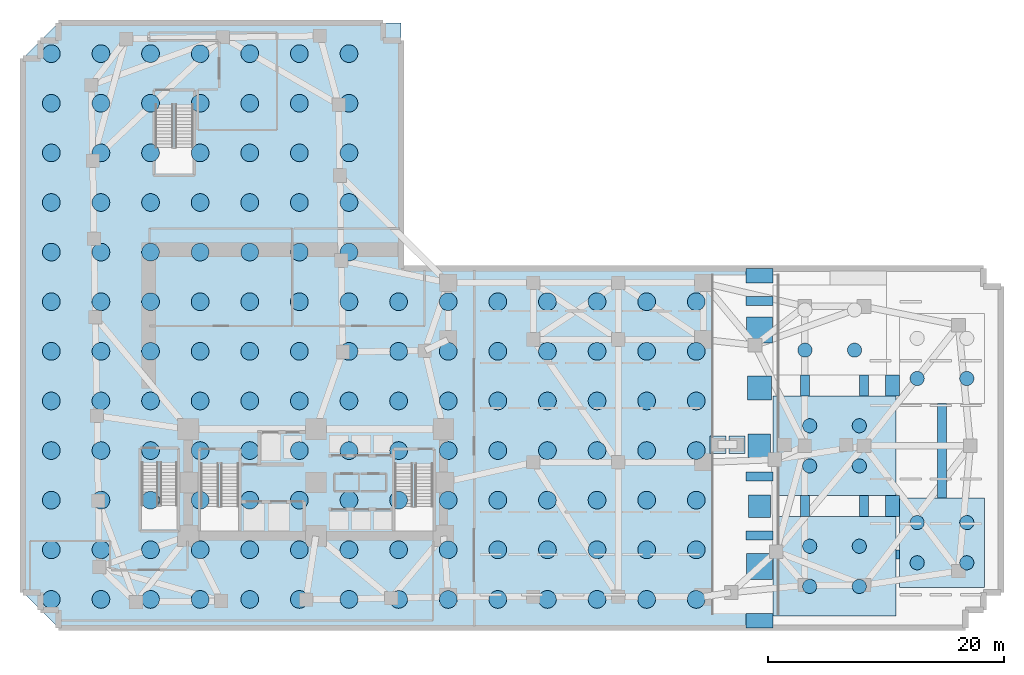
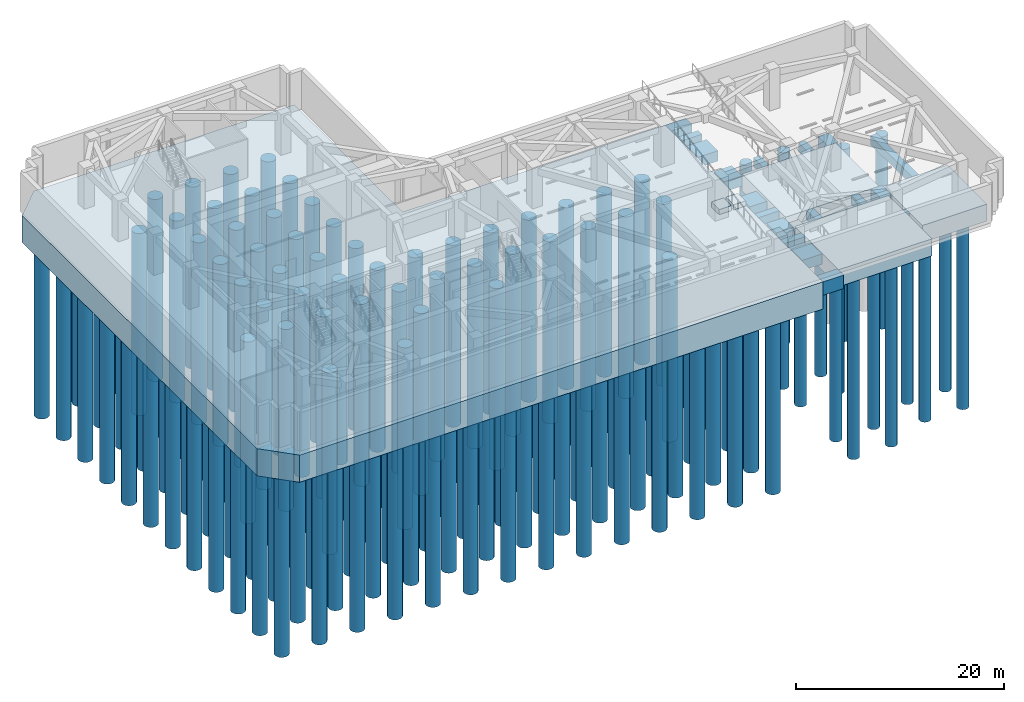
# One storey, part 1 of 11: 149 piles, 24 footings.
"""IFC4 building model written with IfcOpenShell, lengths in metres."""

from ifc_helpers import new_model, si_unit, direction, frame, origin, origin_2d, place, context, subcontext, project, spatial, polyline, rectangle, circle, outline, extrude, material, layer, layer_set, material_profile, profile_set, type_object, element, save


model = new_model("IFC4")

# Units and contexts
model_context = context("Model", 3, precision=1e-05, world=origin(), true_north=direction((0.0, 1.0)))
body_context = subcontext(model_context, "Body", "Model", "MODEL_VIEW")
ifc_project = project(units=[si_unit("LENGTHUNIT", "METRE"), si_unit("AREAUNIT", "SQUARE_METRE"), si_unit("VOLUMEUNIT", "CUBIC_METRE"), si_unit("PLANEANGLEUNIT", "RADIAN"), si_unit("MASSUNIT", "GRAM", prefix="KILO")], contexts=[model_context])

# Site, building, storey
site_placement = place(None, origin())
site = spatial("IfcSite", under=ifc_project, at=site_placement, CompositionType="ELEMENT")
building_placement = place(site_placement, origin())
building = spatial("IfcBuilding", under=site, at=building_placement, Name="Gaonmaruhae Medical Tower", CompositionType="ELEMENT")
storey_placement = place(building_placement, frame((0.0, 0.0, -9.60009765625)))
storey = spatial("IfcBuildingStorey", under=building, at=storey_placement, Name="B02", CompositionType="ELEMENT", Elevation=-9.60009765625)

# Piles
ifc_material_1 = material(Name="Concrete C50/60", Category="concrete")
ifc_material_profile_1 = material_profile(ifc_material_1, circle(Radius=0.60009765625, at=origin_2d()), Name="PILE-D1200")
ifc_profile_set_1 = profile_set([ifc_material_profile_1], Name="Concrete C50/60")
pile_type_1 = type_object("IfcPileType", Name="BP-1200 Rock-Socketed Bored Pile", PredefinedType="BORED", material=ifc_profile_set_1)
for number, where, z_axis, x_axis, name in (
    (1, (66.60009765625, 3.5, -2.5), (0.0, 0.0, -1.0), (1.0, 0.0, 0.0), "Podium Cap Bored Pile PILE-P01"),
    (2, (66.60009765625, 6.89990234375, -2.5), (0.0, 0.0, -1.0), (1.0, 0.0, 0.0), "Podium Cap Bored Pile PILE-P02"),
    (3, (70.800048828125, 3.5, -2.5), (0.0, 0.0, -1.0), (1.0, 0.0, 0.0), "Podium Cap Bored Pile PILE-P03"),
    (4, (70.800048828125, 6.89990234375, -2.5), (0.0, 0.0, -1.0), (1.0, 0.0, 0.0), "Podium Cap Bored Pile PILE-P04"),
    (5, (66.60009765625, 13.699951171875, -2.5), (0.0, 0.0, -1.0), (1.0, 0.0, 0.0), "Podium Cap Bored Pile PILE-P05"),
    (6, (66.60009765625, 17.10009765625, -2.5), (0.0, 0.0, -1.0), (1.0, 0.0, 0.0), "Podium Cap Bored Pile PILE-P06"),
    (7, (70.800048828125, 13.699951171875, -2.5), (0.0, 0.0, -1.0), (1.0, 0.0, 0.0), "Podium Cap Bored Pile PILE-P07"),
    (8, (70.800048828125, 17.10009765625, -2.5), (0.0, 0.0, -1.0), (1.0, 0.0, 0.0), "Podium Cap Bored Pile PILE-P08"),
    (9, (66.199951171875, 23.5, -2.5), (0.0, 0.0, -1.0), (1.0, 0.0, 0.0), "Podium Cap Bored Pile PILE-P09"),
    (10, (70.39990234375, 23.5, -2.5), (0.0, 0.0, -1.0), (1.0, 0.0, 0.0), "Podium Cap Bored Pile PILE-P11"),
    (11, (75.699951171875, 5.5, -2.5), (0.0, 0.0, -1.0), (1.0, 0.0, 0.0), "Podium Cap Bored Pile PILE-P13"),
    (12, (75.699951171875, 8.89990234375, -2.5), (0.0, 0.0, -1.0), (1.0, 0.0, 0.0), "Podium Cap Bored Pile PILE-P14"),
    (13, (79.89990234375, 5.5, -2.5), (0.0, 0.0, -1.0), (1.0, 0.0, 0.0), "Podium Cap Bored Pile PILE-P15"),
    (14, (79.89990234375, 8.89990234375, -2.5), (0.0, 0.0, -1.0), (1.0, 0.0, 0.0), "Podium Cap Bored Pile PILE-P16"),
    (15, (75.699951171875, 21.10009765625, -2.5), (0.0, 0.0, -1.0), (1.0, 0.0, 0.0), "Podium Cap Bored Pile PILE-P17"),
    (16, (79.89990234375, 21.10009765625, -2.5), (0.0, 0.0, -1.0), (1.0, 0.0, 0.0), "Podium Cap Bored Pile PILE-P19"),
):
    element("IfcPile", number, at=place(storey_placement, frame(where, z_axis=z_axis, x_axis=x_axis)), inside=storey, type_object=pile_type_1, Name=name, PredefinedType="BORED", context=body_context, shape_type="SweptSolid", body=[
        extrude(circle(Radius=0.60009765625, at=origin_2d()), origin(), (0.0, 0.0, 1.0), 22.60009765625),
    ])
ifc_material_profile_2 = material_profile(ifc_material_1, circle(Radius=0.75, at=origin_2d()), Name="PILE-D1500")
ifc_profile_set_2 = profile_set([ifc_material_profile_2], Name="Concrete C50/60")
pile_type_2 = type_object("IfcPileType", Name="BP-1500 Rock-Socketed Bored Pile", PredefinedType="BORED", material=ifc_profile_set_2)
for number, where, z_axis, x_axis, name in (
    (17, (2.39990234375, 2.39990234375, -3.699951171875), (0.0, 0.0, -1.0), (1.0, 0.0, 0.0), "Tower Mat Bored Pile PILE-M001"),
    (18, (2.39990234375, 6.60009765625, -3.699951171875), (0.0, 0.0, -1.0), (1.0, 0.0, 0.0), "Tower Mat Bored Pile PILE-M002"),
    (19, (2.39990234375, 10.800048828125, -3.699951171875), (0.0, 0.0, -1.0), (1.0, 0.0, 0.0), "Tower Mat Bored Pile PILE-M003"),
    (20, (2.39990234375, 15.0, -3.699951171875), (0.0, 0.0, -1.0), (1.0, 0.0, 0.0), "Tower Mat Bored Pile PILE-M004"),
    (21, (2.39990234375, 19.199951171875, -3.699951171875), (0.0, 0.0, -1.0), (1.0, 0.0, 0.0), "Tower Mat Bored Pile PILE-M005"),
    (22, (2.39990234375, 23.39990234375, -3.699951171875), (0.0, 0.0, -1.0), (1.0, 0.0, 0.0), "Tower Mat Bored Pile PILE-M006"),
    (23, (2.39990234375, 27.60009765625, -3.699951171875), (0.0, 0.0, -1.0), (1.0, 0.0, 0.0), "Tower Mat Bored Pile PILE-M007"),
    (24, (2.39990234375, 31.800048828125, -3.699951171875), (0.0, 0.0, -1.0), (1.0, 0.0, 0.0), "Tower Mat Bored Pile PILE-M008"),
    (25, (2.39990234375, 36.0, -3.699951171875), (0.0, 0.0, -1.0), (1.0, 0.0, 0.0), "Tower Mat Bored Pile PILE-M009"),
    (26, (2.39990234375, 40.199951171875, -3.699951171875), (0.0, 0.0, -1.0), (1.0, 0.0, 0.0), "Tower Mat Bored Pile PILE-M010"),
    (27, (2.39990234375, 44.39990234375, -3.699951171875), (0.0, 0.0, -1.0), (1.0, 0.0, 0.0), "Tower Mat Bored Pile PILE-M011"),
    (28, (2.39990234375, 48.60009765625, -3.699951171875), (0.0, 0.0, -1.0), (1.0, 0.0, 0.0), "Tower Mat Bored Pile PILE-M012"),
    (29, (6.60009765625, 2.39990234375, -3.699951171875), (0.0, 0.0, -1.0), (1.0, 0.0, 0.0), "Tower Mat Bored Pile PILE-M013"),
    (30, (6.60009765625, 6.60009765625, -3.699951171875), (0.0, 0.0, -1.0), (1.0, 0.0, 0.0), "Tower Mat Bored Pile PILE-M014"),
    (31, (6.60009765625, 10.800048828125, -3.699951171875), (0.0, 0.0, -1.0), (1.0, 0.0, 0.0), "Tower Mat Bored Pile PILE-M015"),
    (32, (6.60009765625, 15.0, -3.699951171875), (0.0, 0.0, -1.0), (1.0, 0.0, 0.0), "Tower Mat Bored Pile PILE-M016"),
    (33, (6.60009765625, 19.199951171875, -3.699951171875), (0.0, 0.0, -1.0), (1.0, 0.0, 0.0), "Tower Mat Bored Pile PILE-M017"),
    (34, (6.60009765625, 23.39990234375, -3.699951171875), (0.0, 0.0, -1.0), (1.0, 0.0, 0.0), "Tower Mat Bored Pile PILE-M018"),
    (35, (6.60009765625, 27.60009765625, -3.699951171875), (0.0, 0.0, -1.0), (1.0, 0.0, 0.0), "Tower Mat Bored Pile PILE-M019"),
    (36, (6.60009765625, 31.800048828125, -3.699951171875), (0.0, 0.0, -1.0), (1.0, 0.0, 0.0), "Tower Mat Bored Pile PILE-M020"),
    (37, (6.60009765625, 36.0, -3.699951171875), (0.0, 0.0, -1.0), (1.0, 0.0, 0.0), "Tower Mat Bored Pile PILE-M021"),
    (38, (6.60009765625, 40.199951171875, -3.699951171875), (0.0, 0.0, -1.0), (1.0, 0.0, 0.0), "Tower Mat Bored Pile PILE-M022"),
    (39, (6.60009765625, 44.39990234375, -3.699951171875), (0.0, 0.0, -1.0), (1.0, 0.0, 0.0), "Tower Mat Bored Pile PILE-M023"),
    (40, (6.60009765625, 48.60009765625, -3.699951171875), (0.0, 0.0, -1.0), (1.0, 0.0, 0.0), "Tower Mat Bored Pile PILE-M024"),
    (41, (10.800048828125, 2.39990234375, -3.699951171875), (0.0, 0.0, -1.0), (1.0, 0.0, 0.0), "Tower Mat Bored Pile PILE-M025"),
    (42, (10.800048828125, 6.60009765625, -3.699951171875), (0.0, 0.0, -1.0), (1.0, 0.0, 0.0), "Tower Mat Bored Pile PILE-M026"),
    (43, (10.800048828125, 10.800048828125, -3.699951171875), (0.0, 0.0, -1.0), (1.0, 0.0, 0.0), "Tower Mat Bored Pile PILE-M027"),
    (44, (10.800048828125, 15.0, -3.699951171875), (0.0, 0.0, -1.0), (1.0, 0.0, 0.0), "Tower Mat Bored Pile PILE-M028"),
    (45, (10.800048828125, 19.199951171875, -3.699951171875), (0.0, 0.0, -1.0), (1.0, 0.0, 0.0), "Tower Mat Bored Pile PILE-M029"),
    (46, (10.800048828125, 23.39990234375, -3.699951171875), (0.0, 0.0, -1.0), (1.0, 0.0, 0.0), "Tower Mat Bored Pile PILE-M030"),
    (47, (10.800048828125, 27.60009765625, -3.699951171875), (0.0, 0.0, -1.0), (1.0, 0.0, 0.0), "Tower Mat Bored Pile PILE-M031"),
    (48, (10.800048828125, 31.800048828125, -3.699951171875), (0.0, 0.0, -1.0), (1.0, 0.0, 0.0), "Tower Mat Bored Pile PILE-M032"),
    (49, (10.800048828125, 36.0, -3.699951171875), (0.0, 0.0, -1.0), (1.0, 0.0, 0.0), "Tower Mat Bored Pile PILE-M033"),
    (50, (10.800048828125, 40.199951171875, -3.699951171875), (0.0, 0.0, -1.0), (1.0, 0.0, 0.0), "Tower Mat Bored Pile PILE-M034"),
    (51, (10.800048828125, 44.39990234375, -3.699951171875), (0.0, 0.0, -1.0), (1.0, 0.0, 0.0), "Tower Mat Bored Pile PILE-M035"),
    (52, (10.800048828125, 48.60009765625, -3.699951171875), (0.0, 0.0, -1.0), (1.0, 0.0, 0.0), "Tower Mat Bored Pile PILE-M036"),
    (53, (15.0, 2.39990234375, -3.699951171875), (0.0, 0.0, -1.0), (1.0, 0.0, 0.0), "Tower Mat Bored Pile PILE-M037"),
    (54, (15.0, 6.60009765625, -3.699951171875), (0.0, 0.0, -1.0), (1.0, 0.0, 0.0), "Tower Mat Bored Pile PILE-M038"),
    (55, (15.0, 10.800048828125, -3.699951171875), (0.0, 0.0, -1.0), (1.0, 0.0, 0.0), "Tower Mat Bored Pile PILE-M039"),
    (56, (15.0, 15.0, -3.699951171875), (0.0, 0.0, -1.0), (1.0, 0.0, 0.0), "Tower Mat Bored Pile PILE-M040"),
    (57, (15.0, 19.199951171875, -3.699951171875), (0.0, 0.0, -1.0), (1.0, 0.0, 0.0), "Tower Mat Bored Pile PILE-M041"),
    (58, (15.0, 23.39990234375, -3.699951171875), (0.0, 0.0, -1.0), (1.0, 0.0, 0.0), "Tower Mat Bored Pile PILE-M042"),
    (59, (15.0, 27.60009765625, -3.699951171875), (0.0, 0.0, -1.0), (1.0, 0.0, 0.0), "Tower Mat Bored Pile PILE-M043"),
    (60, (15.0, 31.800048828125, -3.699951171875), (0.0, 0.0, -1.0), (1.0, 0.0, 0.0), "Tower Mat Bored Pile PILE-M044"),
    (61, (15.0, 36.0, -3.699951171875), (0.0, 0.0, -1.0), (1.0, 0.0, 0.0), "Tower Mat Bored Pile PILE-M045"),
    (62, (15.0, 40.199951171875, -3.699951171875), (0.0, 0.0, -1.0), (1.0, 0.0, 0.0), "Tower Mat Bored Pile PILE-M046"),
    (63, (15.0, 44.39990234375, -3.699951171875), (0.0, 0.0, -1.0), (1.0, 0.0, 0.0), "Tower Mat Bored Pile PILE-M047"),
    (64, (15.0, 48.60009765625, -3.699951171875), (0.0, 0.0, -1.0), (1.0, 0.0, 0.0), "Tower Mat Bored Pile PILE-M048"),
    (65, (19.199951171875, 2.39990234375, -3.699951171875), (0.0, 0.0, -1.0), (1.0, 0.0, 0.0), "Tower Mat Bored Pile PILE-M049"),
    (66, (19.199951171875, 6.60009765625, -3.699951171875), (0.0, 0.0, -1.0), (1.0, 0.0, 0.0), "Tower Mat Bored Pile PILE-M050"),
    (67, (19.199951171875, 10.800048828125, -3.699951171875), (0.0, 0.0, -1.0), (1.0, 0.0, 0.0), "Tower Mat Bored Pile PILE-M051"),
    (68, (19.199951171875, 15.0, -3.699951171875), (0.0, 0.0, -1.0), (1.0, 0.0, 0.0), "Tower Mat Bored Pile PILE-M052"),
    (69, (19.199951171875, 19.199951171875, -3.699951171875), (0.0, 0.0, -1.0), (1.0, 0.0, 0.0), "Tower Mat Bored Pile PILE-M053"),
    (70, (19.199951171875, 23.39990234375, -3.699951171875), (0.0, 0.0, -1.0), (1.0, 0.0, 0.0), "Tower Mat Bored Pile PILE-M054"),
    (71, (19.199951171875, 27.60009765625, -3.699951171875), (0.0, 0.0, -1.0), (1.0, 0.0, 0.0), "Tower Mat Bored Pile PILE-M055"),
    (72, (19.199951171875, 31.800048828125, -3.699951171875), (0.0, 0.0, -1.0), (1.0, 0.0, 0.0), "Tower Mat Bored Pile PILE-M056"),
    (73, (19.199951171875, 36.0, -3.699951171875), (0.0, 0.0, -1.0), (1.0, 0.0, 0.0), "Tower Mat Bored Pile PILE-M057"),
    (74, (19.199951171875, 40.199951171875, -3.699951171875), (0.0, 0.0, -1.0), (1.0, 0.0, 0.0), "Tower Mat Bored Pile PILE-M058"),
    (75, (19.199951171875, 44.39990234375, -3.699951171875), (0.0, 0.0, -1.0), (1.0, 0.0, 0.0), "Tower Mat Bored Pile PILE-M059"),
    (76, (19.199951171875, 48.60009765625, -3.699951171875), (0.0, 0.0, -1.0), (1.0, 0.0, 0.0), "Tower Mat Bored Pile PILE-M060"),
    (77, (23.39990234375, 2.39990234375, -3.699951171875), (0.0, 0.0, -1.0), (1.0, 0.0, 0.0), "Tower Mat Bored Pile PILE-M061"),
    (78, (23.39990234375, 6.60009765625, -3.699951171875), (0.0, 0.0, -1.0), (1.0, 0.0, 0.0), "Tower Mat Bored Pile PILE-M062"),
    (79, (23.39990234375, 10.800048828125, -3.699951171875), (0.0, 0.0, -1.0), (1.0, 0.0, 0.0), "Tower Mat Bored Pile PILE-M063"),
    (80, (23.39990234375, 15.0, -3.699951171875), (0.0, 0.0, -1.0), (1.0, 0.0, 0.0), "Tower Mat Bored Pile PILE-M064"),
    (81, (23.39990234375, 19.199951171875, -3.699951171875), (0.0, 0.0, -1.0), (1.0, 0.0, 0.0), "Tower Mat Bored Pile PILE-M065"),
    (82, (23.39990234375, 23.39990234375, -3.699951171875), (0.0, 0.0, -1.0), (1.0, 0.0, 0.0), "Tower Mat Bored Pile PILE-M066"),
    (83, (23.39990234375, 27.60009765625, -3.699951171875), (0.0, 0.0, -1.0), (1.0, 0.0, 0.0), "Tower Mat Bored Pile PILE-M067"),
    (84, (23.39990234375, 31.800048828125, -3.699951171875), (0.0, 0.0, -1.0), (1.0, 0.0, 0.0), "Tower Mat Bored Pile PILE-M068"),
    (85, (23.39990234375, 36.0, -3.699951171875), (0.0, 0.0, -1.0), (1.0, 0.0, 0.0), "Tower Mat Bored Pile PILE-M069"),
    (86, (23.39990234375, 40.199951171875, -3.699951171875), (0.0, 0.0, -1.0), (1.0, 0.0, 0.0), "Tower Mat Bored Pile PILE-M070"),
    (87, (23.39990234375, 44.39990234375, -3.699951171875), (0.0, 0.0, -1.0), (1.0, 0.0, 0.0), "Tower Mat Bored Pile PILE-M071"),
    (88, (23.39990234375, 48.60009765625, -3.699951171875), (0.0, 0.0, -1.0), (1.0, 0.0, 0.0), "Tower Mat Bored Pile PILE-M072"),
    (89, (27.60009765625, 2.39990234375, -3.699951171875), (0.0, 0.0, -1.0), (1.0, 0.0, 0.0), "Tower Mat Bored Pile PILE-M073"),
    (90, (27.60009765625, 6.60009765625, -3.699951171875), (0.0, 0.0, -1.0), (1.0, 0.0, 0.0), "Tower Mat Bored Pile PILE-M074"),
    (91, (27.60009765625, 10.800048828125, -3.699951171875), (0.0, 0.0, -1.0), (1.0, 0.0, 0.0), "Tower Mat Bored Pile PILE-M075"),
    (92, (27.60009765625, 15.0, -3.699951171875), (0.0, 0.0, -1.0), (1.0, 0.0, 0.0), "Tower Mat Bored Pile PILE-M076"),
    (93, (27.60009765625, 19.199951171875, -3.699951171875), (0.0, 0.0, -1.0), (1.0, 0.0, 0.0), "Tower Mat Bored Pile PILE-M077"),
    (94, (27.60009765625, 23.39990234375, -3.699951171875), (0.0, 0.0, -1.0), (1.0, 0.0, 0.0), "Tower Mat Bored Pile PILE-M078"),
    (95, (27.60009765625, 27.60009765625, -3.699951171875), (0.0, 0.0, -1.0), (1.0, 0.0, 0.0), "Tower Mat Bored Pile PILE-M079"),
    (96, (27.60009765625, 31.800048828125, -3.699951171875), (0.0, 0.0, -1.0), (1.0, 0.0, 0.0), "Tower Mat Bored Pile PILE-M080"),
    (97, (27.60009765625, 36.0, -3.699951171875), (0.0, 0.0, -1.0), (1.0, 0.0, 0.0), "Tower Mat Bored Pile PILE-M081"),
    (98, (27.60009765625, 40.199951171875, -3.699951171875), (0.0, 0.0, -1.0), (1.0, 0.0, 0.0), "Tower Mat Bored Pile PILE-M082"),
    (99, (27.60009765625, 44.39990234375, -3.699951171875), (0.0, 0.0, -1.0), (1.0, 0.0, 0.0), "Tower Mat Bored Pile PILE-M083"),
    (100, (27.60009765625, 48.60009765625, -3.699951171875), (0.0, 0.0, -1.0), (1.0, 0.0, 0.0), "Tower Mat Bored Pile PILE-M084"),
    (101, (31.800048828125, 2.39990234375, -3.699951171875), (0.0, 0.0, -1.0), (1.0, 0.0, 0.0), "Tower Mat Bored Pile PILE-M085"),
    (102, (31.800048828125, 6.60009765625, -3.699951171875), (0.0, 0.0, -1.0), (1.0, 0.0, 0.0), "Tower Mat Bored Pile PILE-M086"),
    (103, (31.800048828125, 10.800048828125, -3.699951171875), (0.0, 0.0, -1.0), (1.0, 0.0, 0.0), "Tower Mat Bored Pile PILE-M087"),
    (104, (31.800048828125, 15.0, -3.699951171875), (0.0, 0.0, -1.0), (1.0, 0.0, 0.0), "Tower Mat Bored Pile PILE-M088"),
    (105, (31.800048828125, 19.199951171875, -3.699951171875), (0.0, 0.0, -1.0), (1.0, 0.0, 0.0), "Tower Mat Bored Pile PILE-M089"),
    (106, (31.800048828125, 23.39990234375, -3.699951171875), (0.0, 0.0, -1.0), (1.0, 0.0, 0.0), "Tower Mat Bored Pile PILE-M090"),
    (107, (31.800048828125, 27.60009765625, -3.699951171875), (0.0, 0.0, -1.0), (1.0, 0.0, 0.0), "Tower Mat Bored Pile PILE-M091"),
    (108, (36.0, 2.39990234375, -3.699951171875), (0.0, 0.0, -1.0), (1.0, 0.0, 0.0), "Tower Mat Bored Pile PILE-M092"),
    (109, (36.0, 6.60009765625, -3.699951171875), (0.0, 0.0, -1.0), (1.0, 0.0, 0.0), "Tower Mat Bored Pile PILE-M093"),
    (110, (36.0, 10.800048828125, -3.699951171875), (0.0, 0.0, -1.0), (1.0, 0.0, 0.0), "Tower Mat Bored Pile PILE-M094"),
    (111, (36.0, 15.0, -3.699951171875), (0.0, 0.0, -1.0), (1.0, 0.0, 0.0), "Tower Mat Bored Pile PILE-M095"),
    (112, (36.0, 19.199951171875, -3.699951171875), (0.0, 0.0, -1.0), (1.0, 0.0, 0.0), "Tower Mat Bored Pile PILE-M096"),
    (113, (36.0, 23.39990234375, -3.699951171875), (0.0, 0.0, -1.0), (1.0, 0.0, 0.0), "Tower Mat Bored Pile PILE-M097"),
    (114, (36.0, 27.60009765625, -3.699951171875), (0.0, 0.0, -1.0), (1.0, 0.0, 0.0), "Tower Mat Bored Pile PILE-M098"),
    (115, (40.199951171875, 2.39990234375, -3.699951171875), (0.0, 0.0, -1.0), (1.0, 0.0, 0.0), "Tower Mat Bored Pile PILE-M099"),
    (116, (40.199951171875, 6.60009765625, -3.699951171875), (0.0, 0.0, -1.0), (1.0, 0.0, 0.0), "Tower Mat Bored Pile PILE-M100"),
    (117, (40.199951171875, 10.800048828125, -3.699951171875), (0.0, 0.0, -1.0), (1.0, 0.0, 0.0), "Tower Mat Bored Pile PILE-M101"),
    (118, (40.199951171875, 15.0, -3.699951171875), (0.0, 0.0, -1.0), (1.0, 0.0, 0.0), "Tower Mat Bored Pile PILE-M102"),
    (119, (40.199951171875, 19.199951171875, -3.699951171875), (0.0, 0.0, -1.0), (1.0, 0.0, 0.0), "Tower Mat Bored Pile PILE-M103"),
    (120, (40.199951171875, 23.39990234375, -3.699951171875), (0.0, 0.0, -1.0), (1.0, 0.0, 0.0), "Tower Mat Bored Pile PILE-M104"),
    (121, (40.199951171875, 27.60009765625, -3.699951171875), (0.0, 0.0, -1.0), (1.0, 0.0, 0.0), "Tower Mat Bored Pile PILE-M105"),
    (122, (44.39990234375, 2.39990234375, -3.699951171875), (0.0, 0.0, -1.0), (1.0, 0.0, 0.0), "Tower Mat Bored Pile PILE-M106"),
    (123, (44.39990234375, 6.60009765625, -3.699951171875), (0.0, 0.0, -1.0), (1.0, 0.0, 0.0), "Tower Mat Bored Pile PILE-M107"),
    (124, (44.39990234375, 10.800048828125, -3.699951171875), (0.0, 0.0, -1.0), (1.0, 0.0, 0.0), "Tower Mat Bored Pile PILE-M108"),
    (125, (44.39990234375, 15.0, -3.699951171875), (0.0, 0.0, -1.0), (1.0, 0.0, 0.0), "Tower Mat Bored Pile PILE-M109"),
    (126, (44.39990234375, 19.199951171875, -3.699951171875), (0.0, 0.0, -1.0), (1.0, 0.0, 0.0), "Tower Mat Bored Pile PILE-M110"),
    (127, (44.39990234375, 23.39990234375, -3.699951171875), (0.0, 0.0, -1.0), (1.0, 0.0, 0.0), "Tower Mat Bored Pile PILE-M111"),
    (128, (44.39990234375, 27.60009765625, -3.699951171875), (0.0, 0.0, -1.0), (1.0, 0.0, 0.0), "Tower Mat Bored Pile PILE-M112"),
    (129, (48.60009765625, 2.39990234375, -3.699951171875), (0.0, 0.0, -1.0), (1.0, 0.0, 0.0), "Tower Mat Bored Pile PILE-M113"),
    (130, (48.60009765625, 6.60009765625, -3.699951171875), (0.0, 0.0, -1.0), (1.0, 0.0, 0.0), "Tower Mat Bored Pile PILE-M114"),
    (131, (48.60009765625, 10.800048828125, -3.699951171875), (0.0, 0.0, -1.0), (1.0, 0.0, 0.0), "Tower Mat Bored Pile PILE-M115"),
    (132, (48.60009765625, 15.0, -3.699951171875), (0.0, 0.0, -1.0), (1.0, 0.0, 0.0), "Tower Mat Bored Pile PILE-M116"),
    (133, (48.60009765625, 19.199951171875, -3.699951171875), (0.0, 0.0, -1.0), (1.0, 0.0, 0.0), "Tower Mat Bored Pile PILE-M117"),
    (134, (48.60009765625, 23.39990234375, -3.699951171875), (0.0, 0.0, -1.0), (1.0, 0.0, 0.0), "Tower Mat Bored Pile PILE-M118"),
    (135, (48.60009765625, 27.60009765625, -3.699951171875), (0.0, 0.0, -1.0), (1.0, 0.0, 0.0), "Tower Mat Bored Pile PILE-M119"),
    (136, (52.800048828125, 2.39990234375, -3.699951171875), (0.0, 0.0, -1.0), (1.0, 0.0, 0.0), "Tower Mat Bored Pile PILE-M120"),
    (137, (52.800048828125, 6.60009765625, -3.699951171875), (0.0, 0.0, -1.0), (1.0, 0.0, 0.0), "Tower Mat Bored Pile PILE-M121"),
    (138, (52.800048828125, 10.800048828125, -3.699951171875), (0.0, 0.0, -1.0), (1.0, 0.0, 0.0), "Tower Mat Bored Pile PILE-M122"),
    (139, (52.800048828125, 15.0, -3.699951171875), (0.0, 0.0, -1.0), (1.0, 0.0, 0.0), "Tower Mat Bored Pile PILE-M123"),
    (140, (52.800048828125, 19.199951171875, -3.699951171875), (0.0, 0.0, -1.0), (1.0, 0.0, 0.0), "Tower Mat Bored Pile PILE-M124"),
    (141, (52.800048828125, 23.39990234375, -3.699951171875), (0.0, 0.0, -1.0), (1.0, 0.0, 0.0), "Tower Mat Bored Pile PILE-M125"),
    (142, (52.800048828125, 27.60009765625, -3.699951171875), (0.0, 0.0, -1.0), (1.0, 0.0, 0.0), "Tower Mat Bored Pile PILE-M126"),
    (143, (57.0, 2.39990234375, -3.699951171875), (0.0, 0.0, -1.0), (1.0, 0.0, 0.0), "Tower Mat Bored Pile PILE-M127"),
    (144, (57.0, 6.60009765625, -3.699951171875), (0.0, 0.0, -1.0), (1.0, 0.0, 0.0), "Tower Mat Bored Pile PILE-M128"),
    (145, (57.0, 10.800048828125, -3.699951171875), (0.0, 0.0, -1.0), (1.0, 0.0, 0.0), "Tower Mat Bored Pile PILE-M129"),
    (146, (57.0, 15.0, -3.699951171875), (0.0, 0.0, -1.0), (1.0, 0.0, 0.0), "Tower Mat Bored Pile PILE-M130"),
    (147, (57.0, 19.199951171875, -3.699951171875), (0.0, 0.0, -1.0), (1.0, 0.0, 0.0), "Tower Mat Bored Pile PILE-M131"),
    (148, (57.0, 23.39990234375, -3.699951171875), (0.0, 0.0, -1.0), (1.0, 0.0, 0.0), "Tower Mat Bored Pile PILE-M132"),
    (149, (57.0, 27.60009765625, -3.699951171875), (0.0, 0.0, -1.0), (1.0, 0.0, 0.0), "Tower Mat Bored Pile PILE-M133"),
):
    element("IfcPile", number, at=place(storey_placement, frame(where, z_axis=z_axis, x_axis=x_axis)), inside=storey, type_object=pile_type_2, Name=name, PredefinedType="BORED", context=body_context, shape_type="SweptSolid", body=[
        extrude(circle(Radius=0.75, at=origin_2d()), origin(), (0.0, 0.0, 1.0), 21.39990234375),
    ])

# Footings
ifc_material_2 = material(Name="Concrete C40/50", Category="concrete")
ifc_material_profile_3 = material_profile(ifc_material_2, rectangle(XDim=0.75, YDim=1.050048828125, at=origin_2d()), Name="RCG-750x1050")
ifc_profile_set_3 = profile_set([ifc_material_profile_3], Name="Concrete C40/50")
footing_type_1 = type_object("IfcFootingType", Name="GB-01 Foundation Tie Ground Beam", PredefinedType="FOOTING_BEAM", material=ifc_profile_set_3)
for number, where, z_axis, x_axis, name in (
    (150, (61.199951171875, 7.800048828125, -1.125), (1.0, 0.0, 0.0), (0.0, 1.0, 0.0), "Foundation Ground Beam FTG-GB-01"),
    (151, (61.199951171875, 12.800048828125, -1.125), (1.0, 0.0, 0.0), (0.0, 1.0, 0.0), "Foundation Ground Beam FTG-GB-02"),
    (152, (61.199951171875, 27.64990234375, -1.125), (1.0, 0.0, 0.0), (0.0, 1.0, 0.0), "Foundation Ground Beam FTG-GB-03"),
):
    element("IfcFooting", number, at=place(storey_placement, frame(where, z_axis=z_axis, x_axis=x_axis)), inside=storey, type_object=footing_type_1, Name=name, PredefinedType="FOOTING_BEAM", context=body_context, shape_type="SweptSolid", body=[
        extrude(rectangle(XDim=0.75, YDim=1.050048828125, at=origin_2d()), origin(), (0.0, 0.0, 1.0), 2.300048828125),
    ])
for number, where, z_axis, x_axis, name in (
    (153, (66.199951171875, 9.39990234375, -1.125), (0.0, 1.0, 0.0), (-1.0, 0.0, 0.0), "Foundation Ground Beam FTG-GB-04"),
    (154, (71.199951171875, 9.39990234375, -1.125), (0.0, 1.0, 0.0), (-1.0, 0.0, 0.0), "Foundation Ground Beam FTG-GB-05"),
):
    element("IfcFooting", number, at=place(storey_placement, frame(where, z_axis=z_axis, x_axis=x_axis)), inside=storey, type_object=footing_type_1, Name=name, PredefinedType="FOOTING_BEAM", context=body_context, shape_type="SweptSolid", body=[
        extrude(rectangle(XDim=0.75, YDim=1.050048828125, at=origin_2d()), origin(), (0.0, 0.0, 1.0), 1.800048828125),
    ])
for number, where, z_axis, x_axis, name in (
    (155, (66.199951171875, 19.60009765625, -1.125), (0.0, 1.0, 0.0), (-1.0, 0.0, 0.0), "Foundation Ground Beam FTG-GB-06"),
    (156, (71.199951171875, 19.60009765625, -1.125), (0.0, 1.0, 0.0), (-1.0, 0.0, 0.0), "Foundation Ground Beam FTG-GB-07"),
):
    element("IfcFooting", number, at=place(storey_placement, frame(where, z_axis=z_axis, x_axis=x_axis)), inside=storey, type_object=footing_type_1, Name=name, PredefinedType="FOOTING_BEAM", context=body_context, shape_type="SweptSolid", body=[
        extrude(rectangle(XDim=0.75, YDim=1.050048828125, at=origin_2d()), origin(), (0.0, 0.0, 1.0), 1.7998046875),
    ])
footing_1_placement = place(storey_placement, frame((73.89990234375, 6.199951171875, -1.125), z_axis=(1.0, 0.0, 0.0), x_axis=(0.0, 1.0, 0.0)))
element("IfcFooting", 157, at=footing_1_placement, inside=storey, type_object=footing_type_1, Name="Foundation Ground Beam FTG-GB-08", PredefinedType="FOOTING_BEAM", context=body_context, shape_type="SweptSolid", body=[
    extrude(rectangle(XDim=0.75, YDim=1.050048828125, at=origin_2d()), origin(), (0.0, 0.0, 1.0), 0.300048828125),
])
footing_2_placement = place(storey_placement, frame((77.800048828125, 11.0, -1.125), z_axis=(0.0, 1.0, 0.0), x_axis=(-1.0, 0.0, 0.0)))
element("IfcFooting", 158, at=footing_2_placement, inside=storey, type_object=footing_type_1, Name="Foundation Ground Beam FTG-GB-09", PredefinedType="FOOTING_BEAM", context=body_context, shape_type="SweptSolid", body=[
    extrude(rectangle(XDim=0.75, YDim=1.050048828125, at=origin_2d()), origin(), (0.0, 0.0, 1.0), 8.0),
])
ifc_layer_1 = layer(ifc_material_1, 3.199951171875)
ifc_layer_set_1 = layer_set([ifc_layer_1], Name="Concrete C50/60")
footing_type_2 = type_object("IfcFootingType", Name="MAT-01 Tower Piled Raft Foundation", PredefinedType="PILE_CAP", material=ifc_layer_set_1)
footing_3_placement = place(storey_placement, frame((0.0, 0.0, -3.7998046875)))
element("IfcFooting", 159, at=footing_3_placement, inside=storey, type_object=footing_type_2, Name="Tower Combined Piled Raft Foundation MAT-01", PredefinedType="PILE_CAP", context=body_context, shape_type="SweptSolid", body=[
    extrude(outline(polyline([(3.0, 0.0), (61.199951171875, 0.0), (61.199951171875, 30.39990234375), (32.0, 30.39990234375), (32.0, 51.199951171875), (3.0, 51.199951171875), (0.0, 48.199951171875), (0.0, 3.0), (3.0, 0.0)])), origin(), (0.0, 0.0, 1.0), 3.199951171875),
])
ifc_layer_2 = layer(ifc_material_2, 2.0)
ifc_layer_set_2 = layer_set([ifc_layer_2], Name="Concrete C40/50")
footing_type_3 = type_object("IfcFootingType", Name="PC-01 Podium Combined Pile Cap", PredefinedType="PILE_CAP", material=ifc_layer_set_2)
for number, where, z_axis, x_axis, name in (
    (160, (68.699951171875, 5.199951171875, -2.599853515625), (0.0, 0.0, 1.0), (1.0, 0.0, 0.0), "Podium Combined Pile Cap FTG-PC-01"),
    (161, (68.699951171875, 15.39990234375, -2.599853515625), (0.0, 0.0, 1.0), (1.0, 0.0, 0.0), "Podium Combined Pile Cap FTG-PC-02"),
):
    element("IfcFooting", number, at=place(storey_placement, frame(where, z_axis=z_axis, x_axis=x_axis)), inside=storey, type_object=footing_type_3, Name=name, PredefinedType="PILE_CAP", context=body_context, shape_type="SweptSolid", body=[
        extrude(rectangle(XDim=10.39990234375, YDim=8.39990234375, at=origin_2d()), origin(), (0.0, 0.0, 1.0), 2.0),
    ])
ifc_layer_3 = layer(ifc_material_2, 2.0)
ifc_layer_set_3 = layer_set([ifc_layer_3], Name="Concrete C40/50")
footing_type_4 = type_object("IfcFootingType", Name="PC-02 Podium Corner Pile Cap", PredefinedType="PILE_CAP", material=ifc_layer_set_3)
footing_4_placement = place(storey_placement, frame((77.800048828125, 7.199951171875, -2.599853515625), z_axis=(0.0, 0.0, 1.0), x_axis=(1.0, 0.0, 0.0)))
element("IfcFooting", 162, at=footing_4_placement, inside=storey, type_object=footing_type_4, Name="Podium Combined Pile Cap FTG-PC-04", PredefinedType="PILE_CAP", context=body_context, shape_type="SweptSolid", body=[
    extrude(rectangle(XDim=7.199951171875, YDim=7.60009765625, at=origin_2d()), origin(), (0.0, 0.0, 1.0), 2.0),
])
ifc_layer_4 = layer(ifc_material_2, 1.199951171875)
ifc_layer_set_4 = layer_set([ifc_layer_4], Name="Concrete C40/50")
footing_type_5 = type_object("IfcFootingType", Name="PF-01 Ramp Support Pad Footing", PredefinedType="PAD_FOOTING", material=ifc_layer_set_4)
footing_5_placement = place(storey_placement, frame((62.35009765625, 5.199951171875, -1.7998046875), z_axis=(0.0, 0.0, 1.0), x_axis=(1.0, 0.0, 0.0)))
element("IfcFooting", 163, at=footing_5_placement, inside=storey, type_object=footing_type_5, Name="Pad Footing FTG-PF-01", PredefinedType="PAD_FOOTING", context=body_context, shape_type="SweptSolid", body=[
    extrude(rectangle(XDim=2.199951171875, YDim=2.199951171875, at=origin_2d()), origin(), (0.0, 0.0, 1.0), 1.199951171875),
])
footing_6_placement = place(storey_placement, frame((62.320068359375, 15.39990234375, -1.7998046875), z_axis=(0.0, 0.0, 1.0), x_axis=(1.0, 0.0, 0.0)))
element("IfcFooting", 164, at=footing_6_placement, inside=storey, type_object=footing_type_5, Name="Pad Footing FTG-PF-02", PredefinedType="PAD_FOOTING", context=body_context, shape_type="SweptSolid", body=[
    extrude(rectangle(XDim=1.89990234375, YDim=2.0, at=origin_2d()), origin(), (0.0, 0.0, 1.0), 1.199951171875),
])
for number, where, z_axis, x_axis, name in (
    (165, (58.85009765625, 15.5, -0.599853515625), (0.0, 0.0, 1.0), (1.0, 0.0, 0.0), "Pad Footing FTG-PF-06"),
    (166, (60.449951171875, 15.5, -0.599853515625), (0.0, 0.0, 1.0), (1.0, 0.0, 0.0), "Pad Footing FTG-PF-07"),
):
    element("IfcFooting", number, at=place(storey_placement, frame(where, z_axis=z_axis, x_axis=x_axis)), inside=storey, type_object=footing_type_5, Name=name, PredefinedType="PAD_FOOTING", context=body_context, shape_type="SweptSolid", body=[
        extrude(rectangle(XDim=1.35009765625, YDim=1.5, at=origin_2d()), origin(), (0.0, 0.0, 1.0), 0.60009765625),
    ])
footing_7_placement = place(storey_placement, frame((62.35009765625, 25.199951171875, -1.7998046875), z_axis=(0.0, 0.0, 1.0), x_axis=(1.0, 0.0, 0.0)))
element("IfcFooting", 167, at=footing_7_placement, inside=storey, type_object=footing_type_5, Name="Pad Footing FTG-PF-03", PredefinedType="PAD_FOOTING", context=body_context, shape_type="SweptSolid", body=[
    extrude(rectangle(XDim=2.199951171875, YDim=2.199951171875, at=origin_2d()), origin(), (0.0, 0.0, 1.0), 1.199951171875),
])
footing_8_placement = place(storey_placement, frame((62.35009765625, 10.300048828125, -1.7998046875), z_axis=(0.0, 0.0, 1.0), x_axis=(1.0, 0.0, 0.0)))
element("IfcFooting", 168, at=footing_8_placement, inside=storey, type_object=footing_type_5, Name="Pad Footing FTG-PF-04", PredefinedType="PAD_FOOTING", context=body_context, shape_type="SweptSolid", body=[
    extrude(rectangle(XDim=1.89990234375, YDim=1.89990234375, at=origin_2d()), origin(), (0.0, 0.0, 1.0), 1.199951171875),
])
ifc_layer_5 = layer(ifc_material_2, 1.199951171875)
ifc_layer_set_5 = layer_set([ifc_layer_5], Name="Concrete C40/50")
footing_type_6 = type_object("IfcFootingType", Name="PF-02 Ramp Support Pad Footing", PredefinedType="PAD_FOOTING", material=ifc_layer_set_5)
footing_9_placement = place(storey_placement, frame((62.35009765625, 20.300048828125, -1.7998046875), z_axis=(0.0, 0.0, 1.0), x_axis=(1.0, 0.0, 0.0)))
element("IfcFooting", 169, at=footing_9_placement, inside=storey, type_object=footing_type_6, Name="Pad Footing FTG-PF-05", PredefinedType="PAD_FOOTING", context=body_context, shape_type="SweptSolid", body=[
    extrude(rectangle(XDim=2.0, YDim=2.0, at=origin_2d()), origin(), (0.0, 0.0, 1.0), 1.199951171875),
])
ifc_material_profile_4 = material_profile(ifc_material_2, rectangle(XDim=1.199951171875, YDim=1.60009765625, at=origin_2d()), Name="TG-1200x1600")
ifc_profile_set_4 = profile_set([ifc_material_profile_4], Name="Concrete C40/50")
footing_type_7 = type_object("IfcFootingType", Name="SF-01 Retaining Wall Strip Footing", PredefinedType="STRIP_FOOTING", material=ifc_profile_set_4)
footing_10_placement = place(storey_placement, frame((61.199951171875, 0.60009765625, -1.39990234375), z_axis=(1.0, 0.0, 0.0), x_axis=(0.0, 1.0, 0.0)))
element("IfcFooting", 170, at=footing_10_placement, inside=storey, type_object=footing_type_7, Name="Perimeter Strip Footing FTG-SF-01", PredefinedType="STRIP_FOOTING", context=body_context, shape_type="SweptSolid", body=[
    extrude(rectangle(XDim=1.199951171875, YDim=1.60009765625, at=origin_2d()), origin(), (0.0, 0.0, 1.0), 2.300048828125),
])
footing_11_placement = place(storey_placement, frame((73.60009765625, 9.39990234375, -1.39990234375), z_axis=(0.0, 1.0, 0.0), x_axis=(-1.0, 0.0, 0.0)))
element("IfcFooting", 171, at=footing_11_placement, inside=storey, type_object=footing_type_7, Name="Perimeter Strip Footing FTG-SF-02", PredefinedType="STRIP_FOOTING", context=body_context, shape_type="SweptSolid", body=[
    extrude(rectangle(XDim=1.199951171875, YDim=1.60009765625, at=origin_2d()), origin(), (0.0, 0.0, 1.0), 1.800048828125),
])
footing_12_placement = place(storey_placement, frame((73.60009765625, 19.60009765625, -1.39990234375), z_axis=(0.0, 1.0, 0.0), x_axis=(-1.0, 0.0, 0.0)))
element("IfcFooting", 172, at=footing_12_placement, inside=storey, type_object=footing_type_7, Name="Perimeter Strip Footing FTG-SF-03", PredefinedType="STRIP_FOOTING", context=body_context, shape_type="SweptSolid", body=[
    extrude(rectangle(XDim=1.199951171875, YDim=1.60009765625, at=origin_2d()), origin(), (0.0, 0.0, 1.0), 1.7998046875),
])
footing_13_placement = place(storey_placement, frame((61.199951171875, 29.800048828125, -1.39990234375), z_axis=(1.0, 0.0, 0.0), x_axis=(0.0, 1.0, 0.0)))
element("IfcFooting", 173, at=footing_13_placement, inside=storey, type_object=footing_type_7, Name="Perimeter Strip Footing FTG-SF-04", PredefinedType="STRIP_FOOTING", context=body_context, shape_type="SweptSolid", body=[
    extrude(rectangle(XDim=1.199951171875, YDim=1.60009765625, at=origin_2d()), origin(), (0.0, 0.0, 1.0), 2.300048828125),
])

save(model, "model.ifc")
